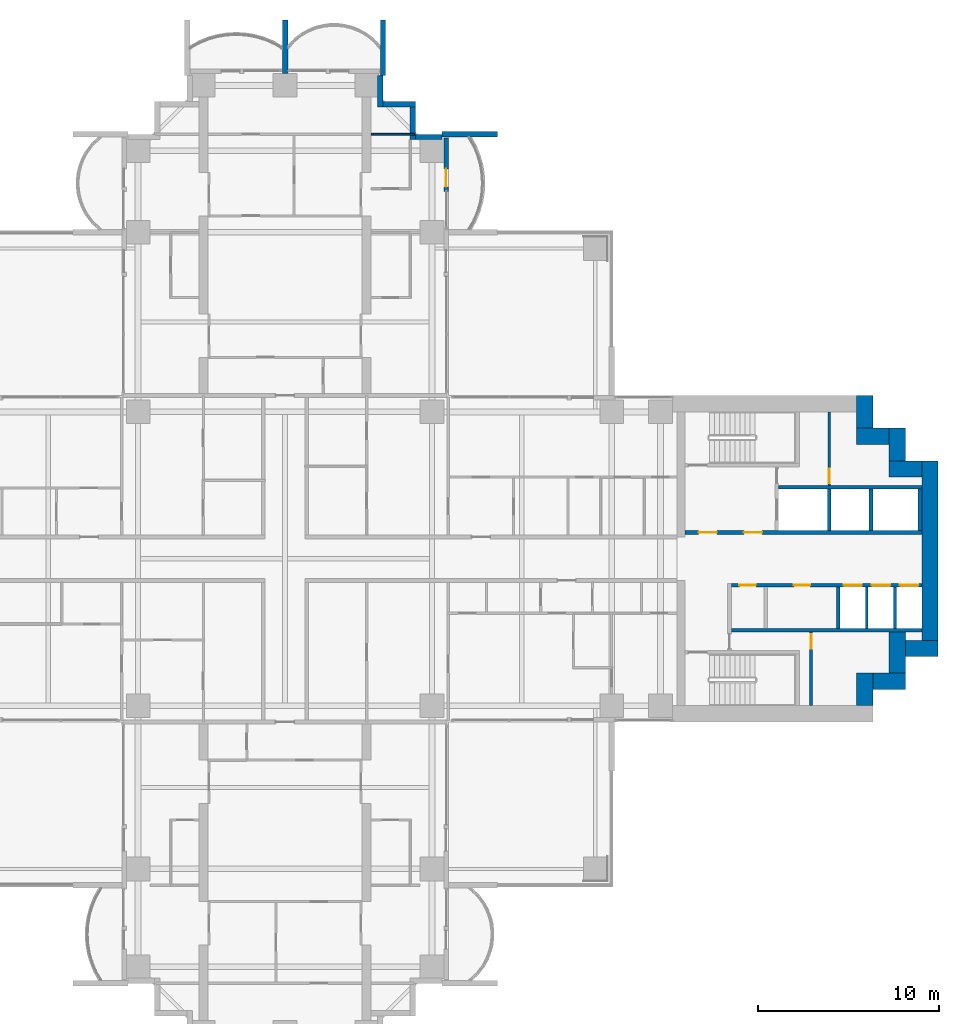
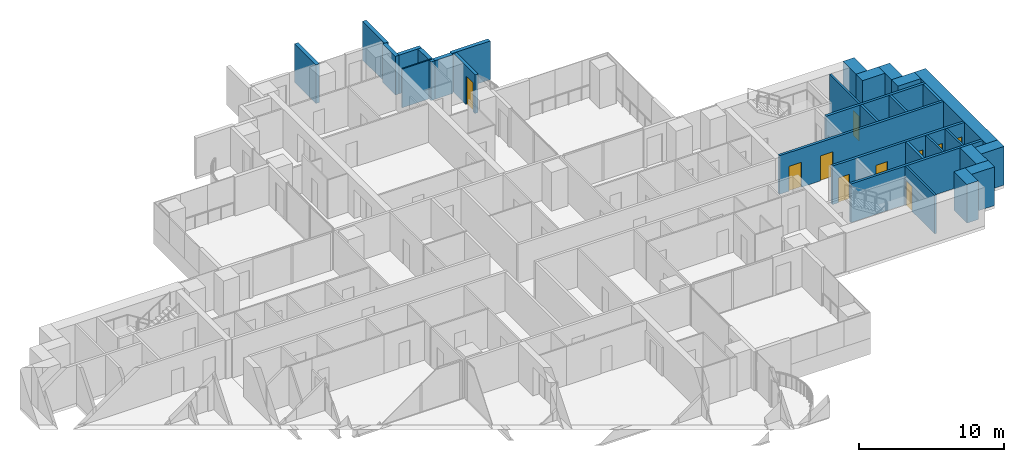
# One storey, part 16 of 21: 30 walls, 10 doors, 10 openings.
"""IFC4 building model written with IfcOpenShell, lengths in metres."""

import ifcopenshell
import ifcopenshell.guid

model = None  # the IFC model being written
_history = None  # IfcOwnerHistory: only IFC2X3 demands one
_inside = {}  # id of a spatial element -> (the spatial element, [elements in it])
_under = {}  # id of a project, library or spatial element -> (it, [spatial elements below it])
_declared = {}  # id of a project -> (the project, [libraries it declares])
_typed = {}  # id of a type object -> (the type object, [elements of that type])
_made_of = {}  # id of a material, layer set ... -> (it, [elements and type objects made of it])


def new_model(schema):
    """Start an empty IFC model of exactly this schema.

    Asked for "IFC4X3", IfcOpenShell would pick the latest addendum, in which some entities
    have other attributes; the version numbers below select the first issue.
    IFC2X3 requires an IfcOwnerHistory on every rooted entity: one is made here for all.
    """
    global model, _history
    if schema == "IFC4X3":
        model = ifcopenshell.file(schema_version=(4, 3, 0, 0))
    else:
        model = ifcopenshell.file(schema=schema)
    _inside.clear()
    _under.clear()
    _declared.clear()
    _typed.clear()
    _made_of.clear()
    _history = None
    if model.schema == "IFC2X3":
        org = make("IfcOrganization", Name="unknown")
        user = make(
            "IfcPersonAndOrganization",
            ThePerson=make("IfcPerson", FamilyName="unknown"),
            TheOrganization=org,
        )
        app = make(
            "IfcApplication",
            ApplicationDeveloper=org,
            Version="unknown",
            ApplicationFullName="unknown",
            ApplicationIdentifier="unknown",
        )
        _history = make(
            "IfcOwnerHistory",
            OwningUser=user,
            OwningApplication=app,
            ChangeAction="ADDED",
            CreationDate=0,
        )
    return model


def make(cls, **values):
    """One entity of the class cls with the attributes given. An attribute that is None is left unset."""
    return model.create_entity(
        cls, **{name: value for name, value in values.items() if value is not None}
    )


def rooted(cls, **values):
    """An entity with a GlobalId (a new one), such as an element, a storey or a relation."""
    return make(cls, GlobalId=ifcopenshell.guid.new(), OwnerHistory=_history, **values)


def si_unit(unit_type, name, prefix=None):
    """IfcSIUnit, for example si_unit("LENGTHUNIT", "METRE", prefix="MILLI")."""
    return make("IfcSIUnit", UnitType=unit_type, Prefix=prefix, Name=name)


def assignment(units):
    """IfcUnitAssignment: the units of a project."""
    return None if units is None else make("IfcUnitAssignment", Units=units)


def point(xyz):
    """IfcCartesianPoint."""
    return None if xyz is None else make("IfcCartesianPoint", Coordinates=xyz)


def direction(xyz):
    """IfcDirection."""
    return None if xyz is None else make("IfcDirection", DirectionRatios=xyz)


def frame(location, z_axis=None, x_axis=None):
    """IfcAxis2Placement3D, a coordinate frame: its origin and axes. An axis left out is left unset."""
    return make(
        "IfcAxis2Placement3D",
        Location=point(location),
        Axis=direction(z_axis),
        RefDirection=direction(x_axis),
    )


def frame_2d(location, x_axis=None):
    """IfcAxis2Placement2D, a coordinate frame in the plane: its origin and x axis."""
    return make(
        "IfcAxis2Placement2D", Location=point(location), RefDirection=direction(x_axis)
    )


def origin():
    """The frame at (0, 0, 0) with its axes left unset."""
    return frame((0.0, 0.0, 0.0))


def place(relative_to, where):
    """IfcLocalPlacement: puts the frame where relative to a parent placement (None: the world)."""
    return make(
        "IfcLocalPlacement", PlacementRelTo=relative_to, RelativePlacement=where
    )


def context(
    kind, dimensions, precision=None, world=None, true_north=None, identifier=None
):
    """IfcGeometricRepresentationContext, for example the 3D "Model" context."""
    return make(
        "IfcGeometricRepresentationContext",
        ContextIdentifier=identifier,
        ContextType=kind,
        CoordinateSpaceDimension=dimensions,
        Precision=precision,
        WorldCoordinateSystem=world,
        TrueNorth=true_north,
    )


def subcontext(parent, identifier, kind, view, scale=None):
    """IfcGeometricRepresentationSubContext, for example "Body" below "Model"."""
    return make(
        "IfcGeometricRepresentationSubContext",
        ContextIdentifier=identifier,
        ContextType=kind,
        ParentContext=parent,
        TargetScale=scale,
        TargetView=view,
    )


def project(units=None, contexts=None):
    """IfcProject with its units and contexts."""
    return rooted(
        "IfcProject",
        Name="project",
        RepresentationContexts=contexts,
        UnitsInContext=assignment(units),
    )


def spatial(cls, under=None, at=None, **own):
    """A site, building, storey or space (cls), placed at a placement, below another one or the project."""
    s = rooted(cls, ObjectPlacement=at, **own)
    if under is not None:
        _under.setdefault(under.id(), (under, []))[1].append(s)
    return s


def profile(cls, at=None, kind="AREA", **sizes):
    """A parametric profile (cls). Its sizes go by their IFC names, for example OverallWidth=200.0."""
    return make(cls, ProfileType=kind, Position=at, **sizes)


def rectangle(**sizes):
    """IfcRectangleProfileDef."""
    return profile("IfcRectangleProfileDef", **sizes)


def extrude(swept, where, along, depth):
    """IfcExtrudedAreaSolid: the profile swept, set in the frame where, extruded along a direction by depth."""
    return make(
        "IfcExtrudedAreaSolid",
        SweptArea=swept,
        Position=where,
        ExtrudedDirection=direction(along),
        Depth=depth,
    )


def shape(context_of_items, identifier, shape_type, items):
    """IfcShapeRepresentation: the items that make up one representation, for example the "Body"."""
    return make(
        "IfcShapeRepresentation",
        ContextOfItems=context_of_items,
        RepresentationIdentifier=identifier,
        RepresentationType=shape_type,
        Items=items,
    )


def material(Name=None, Category=None):
    """IfcMaterial."""
    return make("IfcMaterial", Name=Name, Category=Category)


def layer(
    of_material, thickness, ventilated=None, Name=None, Category=None, Priority=None
):
    """IfcMaterialLayer: one layer of a wall or slab, of a material (None: an air gap)."""
    return make(
        "IfcMaterialLayer",
        Material=of_material,
        LayerThickness=thickness,
        IsVentilated=ventilated,
        Name=Name,
        Category=Category,
        Priority=Priority,
    )


def layer_set(layers, Name=None):
    """IfcMaterialLayerSet."""
    return make("IfcMaterialLayerSet", MaterialLayers=layers, LayerSetName=Name)


def made_of(thing, what):
    """Note that an element or type object is made of a material, layer set ...; save() writes the relation."""
    if what is not None:
        _made_of.setdefault(what.id(), (what, []))[1].append(thing)
    return thing


def type_object(cls, material=None, **own):
    """A type object (cls), such as IfcWallType, which elements share."""
    return made_of(rooted(cls, **own), material)


def element(
    cls,
    number,
    at=None,
    inside=None,
    cuts=None,
    type_object=None,
    material=None,
    context=None,
    identifier="Body",
    shape_type=None,
    held_by="IfcProductDefinitionShape",
    body=None,
    shapes=None,
    **own,
):
    """One element of the class cls, such as IfcWall. Its Tag is "e" and its number.

    at: its placement. inside: the storey or other place that contains it. cuts: it is an
    opening in that element (IfcRelVoidsElement). A single representation is given by context,
    identifier, shape_type and body (its items); several are given by shapes. held_by: the class
    of the entity that holds the representations. save() writes the other relations.
    """
    e = rooted(cls, Tag="e%d" % number, ObjectPlacement=at, **own)
    if body is not None:
        shapes = [shape(context, identifier, shape_type, body)]
    if shapes is not None:
        e.Representation = make(held_by, Representations=shapes)
    if inside is not None:
        _inside.setdefault(inside.id(), (inside, []))[1].append(e)
    if cuts is not None:
        rooted(
            "IfcRelVoidsElement", RelatingBuildingElement=cuts, RelatedOpeningElement=e
        )
    if type_object is not None:
        _typed.setdefault(type_object.id(), (type_object, []))[1].append(e)
    return made_of(e, material)


def fill(opening, filler):
    """IfcRelFillsElement: the door or window that sits in an opening."""
    return rooted(
        "IfcRelFillsElement",
        RelatingOpeningElement=opening,
        RelatedBuildingElement=filler,
    )


def aggregate(whole, parts):
    """IfcRelAggregates: a whole, such as a stair, and the parts it consists of."""
    return rooted("IfcRelAggregates", RelatingObject=whole, RelatedObjects=parts)


def save(model, path):
    """Write the relations noted so far, then the file.

    IfcRelAggregates (storeys below a building ...), IfcRelContainedInSpatialStructure (elements
    in a storey), IfcRelDefinesByType, IfcRelAssociatesMaterial and IfcRelDeclares: one each for
    every whole, place, type object, material and project.
    """
    for whole, parts in _under.values():
        aggregate(whole, parts)
    for where, things in _inside.values():
        rooted(
            "IfcRelContainedInSpatialStructure",
            RelatedElements=things,
            RelatingStructure=where,
        )
    for kind, things in _typed.values():
        rooted("IfcRelDefinesByType", RelatedObjects=things, RelatingType=kind)
    for what, things in _made_of.values():
        rooted("IfcRelAssociatesMaterial", RelatedObjects=things, RelatingMaterial=what)
    for by, libraries in _declared.values():
        rooted("IfcRelDeclares", RelatingContext=by, RelatedDefinitions=libraries)
    model.write(path)


model = new_model("IFC4")

# Units and contexts
model_context = context("Model", 3, precision=1e-05, world=origin(), true_north=direction((0.0, 1.0)))
body_context = subcontext(model_context, "Body", "Model", "MODEL_VIEW")
ifc_project = project(units=[si_unit("LENGTHUNIT", "METRE"), si_unit("AREAUNIT", "SQUARE_METRE"), si_unit("VOLUMEUNIT", "CUBIC_METRE"), si_unit("PLANEANGLEUNIT", "RADIAN"), si_unit("MASSUNIT", "GRAM", prefix="KILO")], contexts=[model_context])

# Site, building, storey
site_placement = place(None, origin())
site = spatial("IfcSite", under=ifc_project, at=site_placement, CompositionType="ELEMENT")
building_placement = place(site_placement, origin())
building = spatial("IfcBuilding", under=site, at=building_placement, Name="Perihelion Cross Residences", CompositionType="ELEMENT")
storey_placement = place(building_placement, frame((0.0, 0.0, 64.5)))
storey = spatial("IfcBuildingStorey", under=building, at=storey_placement, Name="L13", CompositionType="ELEMENT", Elevation=64.5)

# Wall, opening, door
ifc_material_1 = material(Name="Concrete C30/37, bronze-clad", Category="concrete")
ifc_layer_1 = layer(ifc_material_1, 0.25)
ifc_layer_set_1 = layer_set([ifc_layer_1], Name="Bronze-clad pier wall 250")
wall_type_1 = type_object("IfcWallType", Name="Bronze-clad pier wall 250", PredefinedType="SOLIDWALL", material=ifc_layer_set_1)
wall_1_placement = place(storey_placement, frame((8.875, 20.25, 0.0), z_axis=(0.0, 0.0, 1.0), x_axis=(0.0, 1.0, 0.0)))
wall_1 = element("IfcWall", 1, at=wall_1_placement, inside=storey, type_object=wall_type_1, Name="Wall FW1 L13 north side east bay 2 pier", PredefinedType="SOLIDWALL", context=body_context, shape_type="SweptSolid", body=[
    extrude(rectangle(XDim=2.949951171875, YDim=0.25, at=frame_2d((1.47509765625, 0.0))), origin(), (0.0, 0.0, 1.0), 3.25),
])
opening_1_placement = place(wall_1_placement, frame((0.25, 0.0, 0.0)))
opening_1 = element("IfcOpeningElement", 2, at=opening_1_placement, cuts=wall_1, Name="Opening L13.E03", PredefinedType="OPENING", context=body_context, shape_type="SweptSolid", body=[
    extrude(rectangle(XDim=1.0, YDim=2.39990234375, at=frame_2d((0.5, 1.199951171875))), frame((0.0, 0.135009765625, 0.0), z_axis=(0.0, -1.0, 0.0), x_axis=(1.0, 0.0, 0.0)), (0.0, 0.0, 1.0), 0.27001953125),
])
ifc_material_2 = material(Name="Bronze anodised aluminium, glazed", Category="aluminium")
door_type_1 = type_object("IfcDoorType", Name="Balcony door 1000 x 2400", OperationType="NOTDEFINED", PredefinedType="DOOR", material=ifc_material_2)
door_1_placement = place(opening_1_placement, origin())
door_1 = element("IfcDoor", 3, at=door_1_placement, inside=storey, type_object=door_type_1, Name="Door L13.E03 north side east bay 2", OperationType="SINGLE_SWING_RIGHT", OverallHeight=2.39990234375, OverallWidth=1.0, PredefinedType="DOOR", context=body_context, shape_type="SweptSolid", body=[
    extrude(rectangle(XDim=1.0, YDim=2.39990234375, at=frame_2d((0.5, 1.199951171875))), frame((0.0, 0.02490234375, 0.0), z_axis=(0.0, -1.0, 0.0), x_axis=(1.0, 0.0, 0.0)), (0.0, 0.0, 1.0), 0.050048828125),
])
fill(opening_1, door_1)

# Walls
ifc_material_3 = material(Name="Concrete C30/37, bronze-clad", Category="concrete")
ifc_layer_2 = layer(ifc_material_3, 0.300048828125)
ifc_layer_set_2 = layer_set([ifc_layer_2], Name="Bronze-clad serration wall 300")
wall_type_2 = type_object("IfcWallType", Name="Bronze-clad serration wall 300", PredefinedType="SOLIDWALL", material=ifc_layer_set_2)
wall_2_placement = place(storey_placement, frame((8.64990234375, 23.25, 0.0), z_axis=(0.0, 0.0, 1.0), x_axis=(-1.0, 0.0, 0.0)))
element("IfcWall", 4, at=wall_2_placement, inside=storey, type_object=wall_type_2, Name="Wall SR1 L13 north corner north-east 1", PredefinedType="SOLIDWALL", context=body_context, shape_type="SweptSolid", body=[
    extrude(rectangle(XDim=1.449951171875, YDim=0.300048828125, at=frame_2d((0.72509765625, 0.0))), origin(), (0.0, 0.0, 1.0), 3.25),
])
wall_3_placement = place(storey_placement, frame((7.050048828125, 23.10009765625, 0.0), z_axis=(0.0, 0.0, 1.0), x_axis=(0.0, 1.0, 0.0)))
element("IfcWall", 5, at=wall_3_placement, inside=storey, type_object=wall_type_2, Name="Wall SR1 L13 north corner north-east 2", PredefinedType="SOLIDWALL", context=body_context, shape_type="SweptSolid", body=[
    extrude(rectangle(XDim=1.7998046875, YDim=0.300048828125, at=frame_2d((0.89990234375, 0.0))), origin(), (0.0, 0.0, 1.0), 3.25),
])
wall_4_placement = place(storey_placement, frame((7.199951171875, 25.050048828125, 0.0), z_axis=(0.0, 0.0, 1.0), x_axis=(-1.0, 0.0, 0.0)))
element("IfcWall", 6, at=wall_4_placement, inside=storey, type_object=wall_type_2, Name="Wall SR1 L13 north corner north-east 3", PredefinedType="SOLIDWALL", context=body_context, shape_type="SweptSolid", body=[
    extrude(rectangle(XDim=1.800048828125, YDim=0.300048828125, at=frame_2d((0.89990234375, 0.0))), origin(), (0.0, 0.0, 1.0), 3.25),
])
wall_5_placement = place(storey_placement, frame((5.25, 24.89990234375, 0.0), z_axis=(0.0, 0.0, 1.0), x_axis=(0.0, 1.0, 0.0)))
element("IfcWall", 7, at=wall_5_placement, inside=storey, type_object=wall_type_2, Name="Wall SR1 L13 north corner north-east 4", PredefinedType="SOLIDWALL", context=body_context, shape_type="SweptSolid", body=[
    extrude(rectangle(XDim=1.75, YDim=0.300048828125, at=frame_2d((0.875, 0.0))), origin(), (0.0, 0.0, 1.0), 3.25),
])
ifc_material_4 = material(Name="Concrete C60/75", Category="concrete")
ifc_layer_3 = layer(ifc_material_4, 0.89990234375)
ifc_layer_set_3 = layer_set([ifc_layer_3], Name="Core wall, outer 900")
wall_type_3 = type_object("IfcWallType", Name="Core wall, outer 900", PredefinedType="SHEAR", material=ifc_layer_set_3)
for number, where, z_axis, x_axis, name in (
    (8, (31.949951171875, -8.10009765625, 0.0), (0.0, 0.0, 1.0), (0.0, 1.0, 0.0), "East core core wall, outer"),
    (9, (32.39990234375, -6.75, 0.0), (0.0, 0.0, 1.0), (1.0, 0.0, 0.0), "East core core wall, outer"),
):
    element("IfcWall", number, at=place(storey_placement, frame(where, z_axis=z_axis, x_axis=x_axis)), inside=storey, type_object=wall_type_3, Name=name, PredefinedType="SHEAR", context=body_context, shape_type="SweptSolid", body=[
        extrude(rectangle(XDim=1.800048828125, YDim=0.89990234375, at=frame_2d((0.89990234375, 0.0))), origin(), (0.0, 0.0, 1.0), 3.25),
    ])
wall_6_placement = place(storey_placement, frame((33.75, -6.300048828125, 0.0), z_axis=(0.0, 0.0, 1.0), x_axis=(0.0, 1.0, 0.0)))
element("IfcWall", 10, at=wall_6_placement, inside=storey, type_object=wall_type_3, Name="East core core wall, outer", PredefinedType="SHEAR", context=body_context, shape_type="SweptSolid", body=[
    extrude(rectangle(XDim=2.25, YDim=0.89990234375, at=frame_2d((1.125, 0.0))), origin(), (0.0, 0.0, 1.0), 3.25),
])
wall_7_placement = place(storey_placement, frame((34.199951171875, -4.949951171875, 0.0), z_axis=(0.0, 0.0, 1.0), x_axis=(1.0, 0.0, 0.0)))
element("IfcWall", 11, at=wall_7_placement, inside=storey, type_object=wall_type_3, Name="East core core wall, outer", PredefinedType="SHEAR", context=body_context, shape_type="SweptSolid", body=[
    extrude(rectangle(XDim=1.800048828125, YDim=0.89990234375, at=frame_2d((0.89990234375, 0.0))), origin(), (0.0, 0.0, 1.0), 3.25),
])
wall_8_placement = place(storey_placement, frame((35.550048828125, -4.5, 0.0), z_axis=(0.0, 0.0, 1.0), x_axis=(0.0, 1.0, 0.0)))
element("IfcWall", 12, at=wall_8_placement, inside=storey, type_object=wall_type_3, Name="East core core wall, outer", PredefinedType="SHEAR", context=body_context, shape_type="SweptSolid", body=[
    extrude(rectangle(XDim=9.89990234375, YDim=0.89990234375, at=frame_2d((4.949951171875, 0.0))), origin(), (0.0, 0.0, 1.0), 3.25),
])
for number, where, z_axis, x_axis, name in (
    (13, (33.300048828125, 4.949951171875, 0.0), (0.0, 0.0, 1.0), (1.0, 0.0, 0.0), "East core core wall, outer"),
    (14, (33.75, 5.39990234375, 0.0), (0.0, 0.0, 1.0), (0.0, 1.0, 0.0), "East core core wall, outer"),
    (15, (31.5, 6.75, 0.0), (0.0, 0.0, 1.0), (1.0, 0.0, 0.0), "East core core wall, outer"),
    (16, (31.949951171875, 7.199951171875, 0.0), (0.0, 0.0, 1.0), (0.0, 1.0, 0.0), "East core core wall, outer"),
):
    element("IfcWall", number, at=place(storey_placement, frame(where, z_axis=z_axis, x_axis=x_axis)), inside=storey, type_object=wall_type_3, Name=name, PredefinedType="SHEAR", context=body_context, shape_type="SweptSolid", body=[
        extrude(rectangle(XDim=1.800048828125, YDim=0.89990234375, at=frame_2d((0.89990234375, 0.0))), origin(), (0.0, 0.0, 1.0), 3.25),
    ])
ifc_material_5 = material(Name="Precast concrete C50/60", Category="concrete")
ifc_layer_4 = layer(ifc_material_5, 0.300048828125)
ifc_layer_set_4 = layer_set([ifc_layer_4], Name="Precast concrete C50/60 blade wall 300")
wall_type_4 = type_object("IfcWallType", Name="Precast concrete C50/60 blade wall 300", PredefinedType="SOLIDWALL", material=ifc_layer_set_4)
wall_9_placement = place(storey_placement, frame((0.0, 26.75, 0.0), z_axis=(0.0, 0.0, 1.0), x_axis=(0.0, 1.0, 0.0)))
element("IfcWall", 17, at=wall_9_placement, inside=storey, type_object=wall_type_4, Name="Wall BL1 L13 no. 10", PredefinedType="SOLIDWALL", context=body_context, shape_type="SweptSolid", body=[
    extrude(rectangle(XDim=2.949951171875, YDim=0.300048828125, at=frame_2d((1.47509765625, 0.0))), origin(), (0.0, 0.0, 1.0), 3.25),
])
for number, where, z_axis, x_axis, name in (
    (18, (5.39990234375, 26.64990234375, 0.0), (0.0, 0.0, 1.0), (0.0, 1.0, 0.0), "Wall BL1 L13 no. 14"),
    (19, (8.64990234375, 23.39990234375, 0.0), (0.0, 0.0, 1.0), (1.0, 0.0, 0.0), "Wall BL1 L13 no. 18"),
):
    element("IfcWall", number, at=place(storey_placement, frame(where, z_axis=z_axis, x_axis=x_axis)), inside=storey, type_object=wall_type_4, Name=name, PredefinedType="SOLIDWALL", context=body_context, shape_type="SweptSolid", body=[
        extrude(rectangle(XDim=3.050048828125, YDim=0.300048828125, at=frame_2d((1.52490234375, 0.0))), origin(), (0.0, 0.0, 1.0), 3.25),
    ])

# Wall, opening, door
ifc_material_6 = material(Name="Fire-rated board on steel stud", Category="steel")
ifc_layer_5 = layer(ifc_material_6, 0.14990234375)
ifc_layer_set_5 = layer_set([ifc_layer_5], Name="Riser wall 150")
wall_type_5 = type_object("IfcWallType", Name="Riser wall 150", PredefinedType="PARTITIONING", material=ifc_layer_set_5)
wall_10_placement = place(storey_placement, frame((30.0, 4.050048828125, 0.0), z_axis=(0.0, 0.0, 1.0), x_axis=(0.0, 1.0, 0.0)))
wall_10 = element("IfcWall", 20, at=wall_10_placement, inside=storey, type_object=wall_type_5, Name="East core riser wall", PredefinedType="PARTITIONING", context=body_context, shape_type="SweptSolid", body=[
    extrude(rectangle(XDim=4.050048828125, YDim=0.14990234375, at=frame_2d((2.02490234375, 0.0))), origin(), (0.0, 0.0, 1.0), 3.25),
])
opening_2_placement = place(wall_10_placement, frame((0.10009765625, 0.0, 0.0)))
opening_2 = element("IfcOpeningElement", 21, at=opening_2_placement, cuts=wall_10, Name="Opening L13.C14", PredefinedType="OPENING", context=body_context, shape_type="SweptSolid", body=[
    extrude(rectangle(XDim=0.800048828125, YDim=2.10009765625, at=frame_2d((0.39990234375, 1.050048828125))), frame((0.0, 0.0849609375, 0.0), z_axis=(0.0, -1.0, 0.0), x_axis=(1.0, 0.0, 0.0)), (0.0, 0.0, 1.0), 0.169921875),
])
ifc_material_7 = material(Name="Steel, powder coated", Category="steel")
door_type_2 = type_object("IfcDoorType", Name="Riser door 800", OperationType="SINGLE_SWING_LEFT", PredefinedType="DOOR", material=ifc_material_7)
door_2_placement = place(opening_2_placement, origin())
door_2 = element("IfcDoor", 22, at=door_2_placement, inside=storey, type_object=door_type_2, Name="East core riser door", OperationType="SINGLE_SWING_LEFT", OverallHeight=2.10009765625, OverallWidth=0.800048828125, PredefinedType="DOOR", context=body_context, shape_type="SweptSolid", body=[
    extrude(rectangle(XDim=0.800048828125, YDim=2.10009765625, at=frame_2d((0.39990234375, 1.050048828125))), frame((0.0, 0.02490234375, 0.0), z_axis=(0.0, -1.0, 0.0), x_axis=(1.0, 0.0, 0.0)), (0.0, 0.0, 1.0), 0.050048828125),
])
fill(opening_2, door_2)

wall_11_placement = place(storey_placement, frame((29.0, -8.10009765625, 0.0), z_axis=(0.0, 0.0, 1.0), x_axis=(0.0, 1.0, 0.0)))
wall_11 = element("IfcWall", 23, at=wall_11_placement, inside=storey, type_object=wall_type_5, Name="East core riser wall", PredefinedType="PARTITIONING", context=body_context, shape_type="SweptSolid", body=[
    extrude(rectangle(XDim=4.050048828125, YDim=0.14990234375, at=frame_2d((2.02490234375, 0.0))), origin(), (0.0, 0.0, 1.0), 3.25),
])
opening_3_placement = place(wall_11_placement, frame((3.14990234375, 0.0, 0.0)))
opening_3 = element("IfcOpeningElement", 24, at=opening_3_placement, cuts=wall_11, Name="Opening L13.C13", PredefinedType="OPENING", context=body_context, shape_type="SweptSolid", body=[
    extrude(rectangle(XDim=0.800048828125, YDim=2.10009765625, at=frame_2d((0.39990234375, 1.050048828125))), frame((0.0, 0.0849609375, 0.0), z_axis=(0.0, -1.0, 0.0), x_axis=(1.0, 0.0, 0.0)), (0.0, 0.0, 1.0), 0.169921875),
])
door_3_placement = place(opening_3_placement, origin())
door_3 = element("IfcDoor", 25, at=door_3_placement, inside=storey, type_object=door_type_2, Name="East core riser door", OperationType="SINGLE_SWING_LEFT", OverallHeight=2.10009765625, OverallWidth=0.800048828125, PredefinedType="DOOR", context=body_context, shape_type="SweptSolid", body=[
    extrude(rectangle(XDim=0.800048828125, YDim=2.10009765625, at=frame_2d((0.39990234375, 1.050048828125))), frame((0.0, 0.02490234375, 0.0), z_axis=(0.0, -1.0, 0.0), x_axis=(1.0, 0.0, 0.0)), (0.0, 0.0, 1.0), 0.050048828125),
])
fill(opening_3, door_3)

# Walls
ifc_material_8 = material(Name="Concrete C50/60", Category="concrete")
ifc_layer_6 = layer(ifc_material_8, 0.14990234375)
ifc_layer_set_6 = layer_set([ifc_layer_6], Name="Shaft wall 150")
wall_type_6 = type_object("IfcWallType", Name="Shaft wall 150", PredefinedType="SOLIDWALL", material=ifc_layer_set_6)
for number, where, z_axis, x_axis, name in (
    (26, (32.074951171875, -3.85009765625, 0.0), (0.0, 0.0, 1.0), (0.0, 1.0, 0.0), "East core shaft wall"),
    (27, (33.625, -3.85009765625, 0.0), (0.0, 0.0, 1.0), (0.0, 1.0, 0.0), "East core shaft wall"),
):
    element("IfcWall", number, at=place(storey_placement, frame(where, z_axis=z_axis, x_axis=x_axis)), inside=storey, type_object=wall_type_6, Name=name, PredefinedType="SOLIDWALL", context=body_context, shape_type="SweptSolid", body=[
        extrude(rectangle(XDim=2.300048828125, YDim=0.14990234375, at=frame_2d((1.14990234375, 0.0))), origin(), (0.0, 0.0, 1.0), 3.25),
    ])

# Wall, openings, doors
ifc_material_9 = material(Name="Concrete C50/60", Category="concrete")
ifc_layer_7 = layer(ifc_material_9, 0.199951171875)
ifc_layer_set_7 = layer_set([ifc_layer_7], Name="Shaft wall 200")
wall_type_7 = type_object("IfcWallType", Name="Shaft wall 200", PredefinedType="SOLIDWALL", material=ifc_layer_set_7)
wall_12_placement = place(storey_placement, frame((22.050048828125, 1.449951171875, 0.0), z_axis=(0.0, 0.0, 1.0), x_axis=(1.0, 0.0, 0.0)))
wall_12 = element("IfcWall", 28, at=wall_12_placement, inside=storey, type_object=wall_type_7, Name="East core shaft wall", PredefinedType="SOLIDWALL", context=body_context, shape_type="SweptSolid", body=[
    extrude(rectangle(XDim=13.050048828125, YDim=0.199951171875, at=frame_2d((6.52490234375, 0.0))), origin(), (0.0, 0.0, 1.0), 3.25),
])
opening_4_placement = place(wall_12_placement, frame((0.75, 0.0, 0.0)))
opening_4 = element("IfcOpeningElement", 29, at=opening_4_placement, cuts=wall_12, Name="Opening L13.C07", PredefinedType="OPENING", context=body_context, shape_type="SweptSolid", body=[
    extrude(rectangle(XDim=1.0, YDim=2.10009765625, at=frame_2d((0.5, 1.050048828125))), frame((0.0, 0.10986328125, 0.0), z_axis=(0.0, -1.0, 0.0), x_axis=(1.0, 0.0, 0.0)), (0.0, 0.0, 1.0), 0.219970703125),
])
opening_5_placement = place(wall_12_placement, frame((3.25, 0.0, 0.0)))
opening_5 = element("IfcOpeningElement", 30, at=opening_5_placement, cuts=wall_12, Name="Opening L13.C10", PredefinedType="OPENING", context=body_context, shape_type="SweptSolid", body=[
    extrude(rectangle(XDim=1.0, YDim=2.10009765625, at=frame_2d((0.5, 1.050048828125))), frame((0.0, 0.10986328125, 0.0), z_axis=(0.0, -1.0, 0.0), x_axis=(1.0, 0.0, 0.0)), (0.0, 0.0, 1.0), 0.219970703125),
])
ifc_material_10 = material(Name="Steel, powder coated", Category="steel")
door_type_3 = type_object("IfcDoorType", Name="Lobby door 1000", OperationType="SINGLE_SWING_LEFT", PredefinedType="DOOR", material=ifc_material_10)
door_4_placement = place(opening_4_placement, origin())
door_4 = element("IfcDoor", 31, at=door_4_placement, inside=storey, type_object=door_type_3, Name="East core firefighting lobby door", OperationType="SINGLE_SWING_LEFT", OverallHeight=2.10009765625, OverallWidth=1.0, PredefinedType="DOOR", context=body_context, shape_type="SweptSolid", body=[
    extrude(rectangle(XDim=1.0, YDim=2.10009765625, at=frame_2d((0.5, 1.050048828125))), frame((0.0, 0.02490234375, 0.0), z_axis=(0.0, -1.0, 0.0), x_axis=(1.0, 0.0, 0.0)), (0.0, 0.0, 1.0), 0.050048828125),
])
fill(opening_4, door_4)
door_5_placement = place(opening_5_placement, origin())
door_5 = element("IfcDoor", 32, at=door_5_placement, inside=storey, type_object=door_type_3, Name="East core firefighting lobby door", OperationType="SINGLE_SWING_LEFT", OverallHeight=2.10009765625, OverallWidth=1.0, PredefinedType="DOOR", context=body_context, shape_type="SweptSolid", body=[
    extrude(rectangle(XDim=1.0, YDim=2.10009765625, at=frame_2d((0.5, 1.050048828125))), frame((0.0, 0.02490234375, 0.0), z_axis=(0.0, -1.0, 0.0), x_axis=(1.0, 0.0, 0.0)), (0.0, 0.0, 1.0), 0.050048828125),
])
fill(opening_5, door_5)

wall_13_placement = place(storey_placement, frame((24.60009765625, -1.449951171875, 0.0), z_axis=(0.0, 0.0, 1.0), x_axis=(1.0, 0.0, 0.0)))
wall_13 = element("IfcWall", 33, at=wall_13_placement, inside=storey, type_object=wall_type_7, Name="East core shaft wall", PredefinedType="SOLIDWALL", context=body_context, shape_type="SweptSolid", body=[
    extrude(rectangle(XDim=10.5, YDim=0.199951171875, at=frame_2d((5.25, 0.0))), origin(), (0.0, 0.0, 1.0), 3.25),
])
opening_6_placement = place(wall_13_placement, frame((6.199951171875, 0.0, 0.0)))
opening_6 = element("IfcOpeningElement", 34, at=opening_6_placement, cuts=wall_13, Name="Opening L13.C02", PredefinedType="OPENING", context=body_context, shape_type="SweptSolid", body=[
    extrude(rectangle(XDim=1.0, YDim=2.10009765625, at=frame_2d((0.5, 1.050048828125))), frame((0.0, 0.10986328125, 0.0), z_axis=(0.0, -1.0, 0.0), x_axis=(1.0, 0.0, 0.0)), (0.0, 0.0, 1.0), 0.219970703125),
])
opening_7_placement = place(wall_13_placement, frame((7.75, 0.0, 0.0)))
opening_7 = element("IfcOpeningElement", 35, at=opening_7_placement, cuts=wall_13, Name="Opening L13.C03", PredefinedType="OPENING", context=body_context, shape_type="SweptSolid", body=[
    extrude(rectangle(XDim=1.0, YDim=2.10009765625, at=frame_2d((0.5, 1.050048828125))), frame((0.0, 0.10986328125, 0.0), z_axis=(0.0, -1.0, 0.0), x_axis=(1.0, 0.0, 0.0)), (0.0, 0.0, 1.0), 0.219970703125),
])
opening_8_placement = place(wall_13_placement, frame((9.300048828125, 0.0, 0.0)))
opening_8 = element("IfcOpeningElement", 36, at=opening_8_placement, cuts=wall_13, Name="Opening L13.C04", PredefinedType="OPENING", context=body_context, shape_type="SweptSolid", body=[
    extrude(rectangle(XDim=1.0, YDim=2.10009765625, at=frame_2d((0.5, 1.050048828125))), frame((0.0, 0.10986328125, 0.0), z_axis=(0.0, -1.0, 0.0), x_axis=(1.0, 0.0, 0.0)), (0.0, 0.0, 1.0), 0.219970703125),
])
opening_9_placement = place(wall_13_placement, frame((0.449951171875, 0.0, 0.0)))
opening_9 = element("IfcOpeningElement", 37, at=opening_9_placement, cuts=wall_13, Name="Opening L13.C09", PredefinedType="OPENING", context=body_context, shape_type="SweptSolid", body=[
    extrude(rectangle(XDim=0.89990234375, YDim=2.10009765625, at=frame_2d((0.449951171875, 1.050048828125))), frame((0.0, 0.10986328125, 0.0), z_axis=(0.0, -1.0, 0.0), x_axis=(1.0, 0.0, 0.0)), (0.0, 0.0, 1.0), 0.219970703125),
])
opening_10_placement = place(wall_13_placement, frame((3.449951171875, 0.0, 0.0)))
opening_10 = element("IfcOpeningElement", 38, at=opening_10_placement, cuts=wall_13, Name="Opening L13.C12", PredefinedType="OPENING", context=body_context, shape_type="SweptSolid", body=[
    extrude(rectangle(XDim=0.89990234375, YDim=2.10009765625, at=frame_2d((0.449951171875, 1.050048828125))), frame((0.0, 0.10986328125, 0.0), z_axis=(0.0, -1.0, 0.0), x_axis=(1.0, 0.0, 0.0)), (0.0, 0.0, 1.0), 0.219970703125),
])
ifc_material_11 = material(Name="Stainless steel", Category="steel")
door_type_4 = type_object("IfcDoorType", Name="Landing door 1000", OperationType="DOUBLE_DOOR_SLIDING", PredefinedType="DOOR", material=ifc_material_11)
door_6_placement = place(opening_6_placement, origin())
door_6 = element("IfcDoor", 39, at=door_6_placement, inside=storey, type_object=door_type_4, Name="Landing door, East core low-rise lift 1", OperationType="DOUBLE_DOOR_SLIDING", OverallHeight=2.10009765625, OverallWidth=1.0, PredefinedType="DOOR", context=body_context, shape_type="SweptSolid", body=[
    extrude(rectangle(XDim=1.0, YDim=2.10009765625, at=frame_2d((0.5, 1.050048828125))), frame((0.0, 0.02490234375, 0.0), z_axis=(0.0, -1.0, 0.0), x_axis=(1.0, 0.0, 0.0)), (0.0, 0.0, 1.0), 0.050048828125),
])
fill(opening_6, door_6)
door_7_placement = place(opening_7_placement, origin())
door_7 = element("IfcDoor", 40, at=door_7_placement, inside=storey, type_object=door_type_4, Name="Landing door, East core low-rise lift 2", OperationType="DOUBLE_DOOR_SLIDING", OverallHeight=2.10009765625, OverallWidth=1.0, PredefinedType="DOOR", context=body_context, shape_type="SweptSolid", body=[
    extrude(rectangle(XDim=1.0, YDim=2.10009765625, at=frame_2d((0.5, 1.050048828125))), frame((0.0, 0.02490234375, 0.0), z_axis=(0.0, -1.0, 0.0), x_axis=(1.0, 0.0, 0.0)), (0.0, 0.0, 1.0), 0.050048828125),
])
fill(opening_7, door_7)
door_8_placement = place(opening_8_placement, origin())
door_8 = element("IfcDoor", 41, at=door_8_placement, inside=storey, type_object=door_type_4, Name="Landing door, East core low-rise lift 3", OperationType="DOUBLE_DOOR_SLIDING", OverallHeight=2.10009765625, OverallWidth=1.0, PredefinedType="DOOR", context=body_context, shape_type="SweptSolid", body=[
    extrude(rectangle(XDim=1.0, YDim=2.10009765625, at=frame_2d((0.5, 1.050048828125))), frame((0.0, 0.02490234375, 0.0), z_axis=(0.0, -1.0, 0.0), x_axis=(1.0, 0.0, 0.0)), (0.0, 0.0, 1.0), 0.050048828125),
])
fill(opening_8, door_8)
ifc_material_12 = material(Name="Steel, powder coated", Category="steel")
door_type_5 = type_object("IfcDoorType", Name="Service room door 900", OperationType="SINGLE_SWING_LEFT", PredefinedType="DOOR", material=ifc_material_12)
door_9_placement = place(opening_9_placement, origin())
door_9 = element("IfcDoor", 42, at=door_9_placement, inside=storey, type_object=door_type_5, Name="East core service room door", OperationType="SINGLE_SWING_LEFT", OverallHeight=2.10009765625, OverallWidth=0.89990234375, PredefinedType="DOOR", context=body_context, shape_type="SweptSolid", body=[
    extrude(rectangle(XDim=0.89990234375, YDim=2.10009765625, at=frame_2d((0.449951171875, 1.050048828125))), frame((0.0, 0.02490234375, 0.0), z_axis=(0.0, -1.0, 0.0), x_axis=(1.0, 0.0, 0.0)), (0.0, 0.0, 1.0), 0.050048828125),
])
fill(opening_9, door_9)
door_10_placement = place(opening_10_placement, origin())
door_10 = element("IfcDoor", 43, at=door_10_placement, inside=storey, type_object=door_type_5, Name="East core service room door", OperationType="SINGLE_SWING_LEFT", OverallHeight=2.10009765625, OverallWidth=0.89990234375, PredefinedType="DOOR", context=body_context, shape_type="SweptSolid", body=[
    extrude(rectangle(XDim=0.89990234375, YDim=2.10009765625, at=frame_2d((0.449951171875, 1.050048828125))), frame((0.0, 0.02490234375, 0.0), z_axis=(0.0, -1.0, 0.0), x_axis=(1.0, 0.0, 0.0)), (0.0, 0.0, 1.0), 0.050048828125),
])
fill(opening_10, door_10)

# Walls
wall_14_placement = place(storey_placement, frame((27.199951171875, 3.949951171875, 0.0), z_axis=(0.0, 0.0, 1.0), x_axis=(1.0, 0.0, 0.0)))
element("IfcWall", 44, at=wall_14_placement, inside=storey, type_object=wall_type_7, Name="East core shaft wall", PredefinedType="SOLIDWALL", context=body_context, shape_type="SweptSolid", body=[
    extrude(rectangle(XDim=7.900146484375, YDim=0.199951171875, at=frame_2d((3.9501953125, 0.0))), origin(), (0.0, 0.0, 1.0), 3.25),
])
wall_15_placement = place(storey_placement, frame((24.60009765625, -3.949951171875, 0.0), z_axis=(0.0, 0.0, 1.0), x_axis=(1.0, 0.0, 0.0)))
element("IfcWall", 45, at=wall_15_placement, inside=storey, type_object=wall_type_7, Name="East core shaft wall", PredefinedType="SOLIDWALL", context=body_context, shape_type="SweptSolid", body=[
    extrude(rectangle(XDim=10.5, YDim=0.199951171875, at=frame_2d((5.25, 0.0))), origin(), (0.0, 0.0, 1.0), 3.25),
])
for number, where, z_axis, x_axis, name in (
    (46, (30.0, 1.550048828125, 0.0), (0.0, 0.0, 1.0), (0.0, 1.0, 0.0), "East core shaft wall"),
    (47, (32.300048828125, 1.550048828125, 0.0), (0.0, 0.0, 1.0), (0.0, 1.0, 0.0), "East core shaft wall"),
    (48, (35.0, 1.550048828125, 0.0), (0.0, 0.0, 1.0), (0.0, 1.0, 0.0), "East core shaft wall"),
    (49, (30.5, -3.85009765625, 0.0), (0.0, 0.0, 1.0), (0.0, 1.0, 0.0), "East core shaft wall"),
):
    element("IfcWall", number, at=place(storey_placement, frame(where, z_axis=z_axis, x_axis=x_axis)), inside=storey, type_object=wall_type_7, Name=name, PredefinedType="SOLIDWALL", context=body_context, shape_type="SweptSolid", body=[
        extrude(rectangle(XDim=2.300048828125, YDim=0.199951171875, at=frame_2d((1.14990234375, 0.0))), origin(), (0.0, 0.0, 1.0), 3.25),
    ])
ifc_material_13 = material(Name="Plasterboard partition")
ifc_layer_8 = layer(ifc_material_13, 0.10009765625)
ifc_layer_set_8 = layer_set([ifc_layer_8], Name="Wet room wall 100")
wall_type_8 = type_object("IfcWallType", Name="Wet room wall 100", PredefinedType="PARTITIONING", material=ifc_layer_set_8)
wall_16_placement = place(storey_placement, frame((4.75, 23.39990234375, 0.0), z_axis=(0.0, 0.0, 1.0), x_axis=(1.0, 0.0, 0.0)))
element("IfcWall", 50, at=wall_16_placement, inside=storey, type_object=wall_type_8, Name="Partition L13 W072", PredefinedType="PARTITIONING", context=body_context, shape_type="SweptSolid", body=[
    extrude(rectangle(XDim=2.3701171875, YDim=0.10009765625, at=frame_2d((1.18505859375, 0.0))), origin(), (0.0, 0.0, 1.0), 3.25),
])

save(model, "model.ifc")
